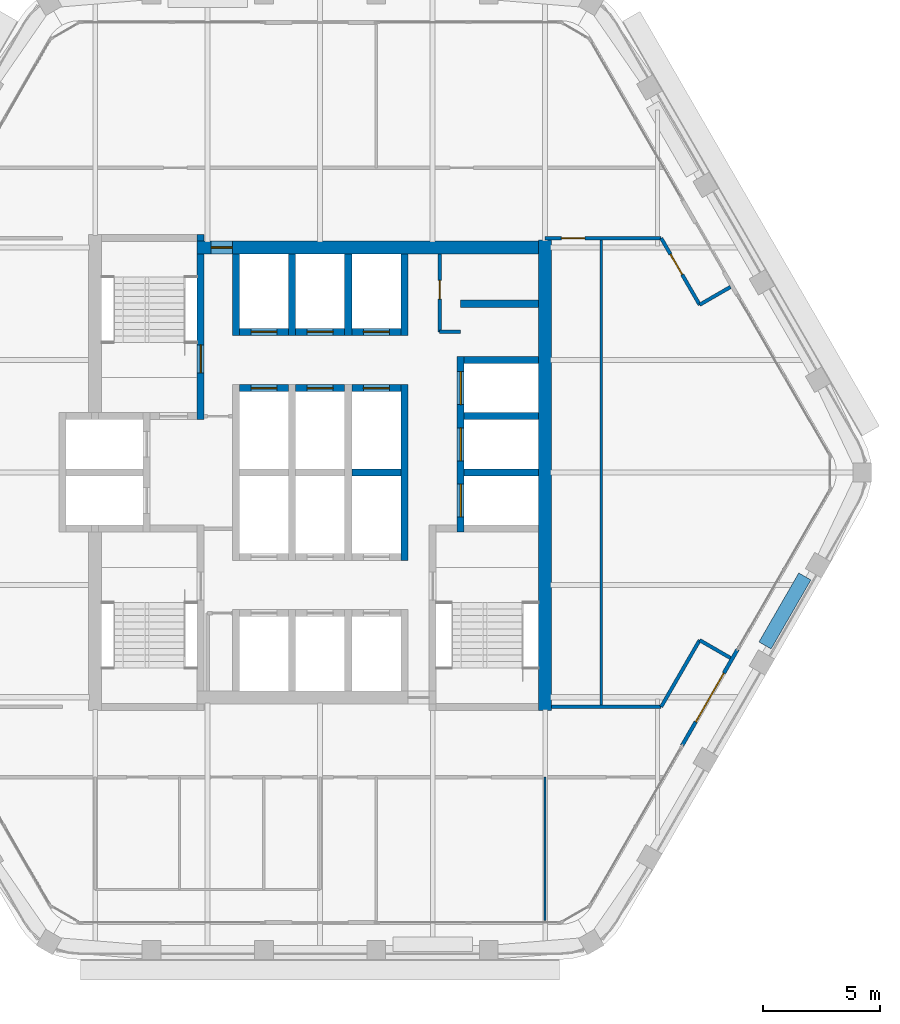
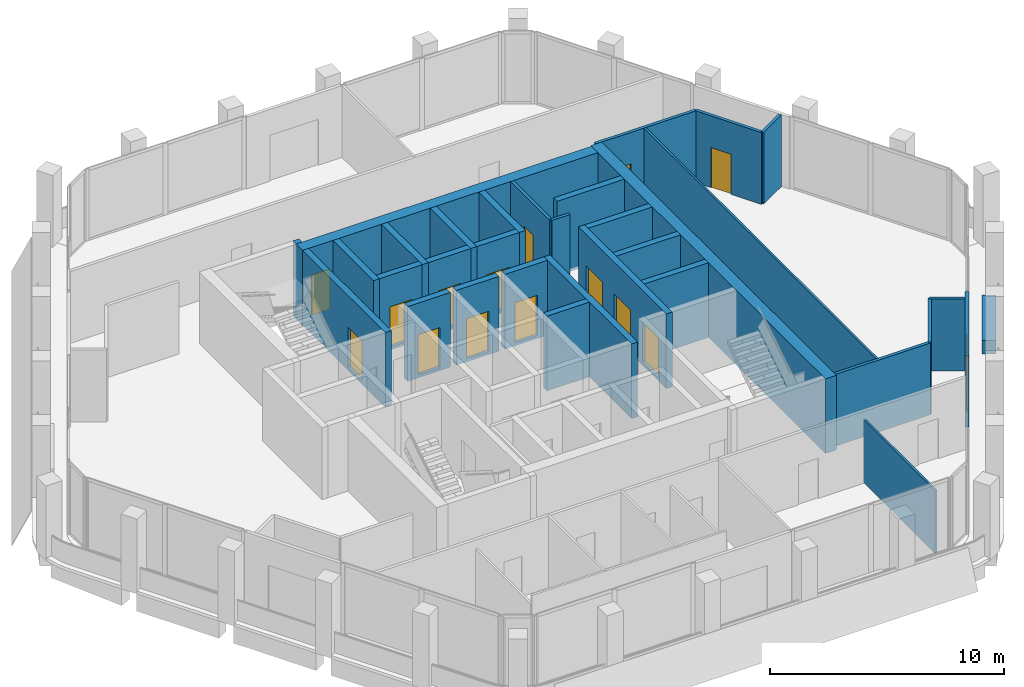
# One storey, part 9 of 13: 33 walls, 15 doors, 15 openings.
"""IFC4 building model written with IfcOpenShell, lengths in metres."""

import ifcopenshell
import ifcopenshell.guid

model = None  # the IFC model being written
_history = None  # IfcOwnerHistory: only IFC2X3 demands one
_inside = {}  # id of a spatial element -> (the spatial element, [elements in it])
_under = {}  # id of a project, library or spatial element -> (it, [spatial elements below it])
_declared = {}  # id of a project -> (the project, [libraries it declares])
_typed = {}  # id of a type object -> (the type object, [elements of that type])
_made_of = {}  # id of a material, layer set ... -> (it, [elements and type objects made of it])


def new_model(schema):
    """Start an empty IFC model of exactly this schema.

    Asked for "IFC4X3", IfcOpenShell would pick the latest addendum, in which some entities
    have other attributes; the version numbers below select the first issue.
    IFC2X3 requires an IfcOwnerHistory on every rooted entity: one is made here for all.
    """
    global model, _history
    if schema == "IFC4X3":
        model = ifcopenshell.file(schema_version=(4, 3, 0, 0))
    else:
        model = ifcopenshell.file(schema=schema)
    _inside.clear()
    _under.clear()
    _declared.clear()
    _typed.clear()
    _made_of.clear()
    _history = None
    if model.schema == "IFC2X3":
        org = make("IfcOrganization", Name="unknown")
        user = make(
            "IfcPersonAndOrganization",
            ThePerson=make("IfcPerson", FamilyName="unknown"),
            TheOrganization=org,
        )
        app = make(
            "IfcApplication",
            ApplicationDeveloper=org,
            Version="unknown",
            ApplicationFullName="unknown",
            ApplicationIdentifier="unknown",
        )
        _history = make(
            "IfcOwnerHistory",
            OwningUser=user,
            OwningApplication=app,
            ChangeAction="ADDED",
            CreationDate=0,
        )
    return model


def make(cls, **values):
    """One entity of the class cls with the attributes given. An attribute that is None is left unset."""
    return model.create_entity(
        cls, **{name: value for name, value in values.items() if value is not None}
    )


def rooted(cls, **values):
    """An entity with a GlobalId (a new one), such as an element, a storey or a relation."""
    return make(cls, GlobalId=ifcopenshell.guid.new(), OwnerHistory=_history, **values)


def si_unit(unit_type, name, prefix=None):
    """IfcSIUnit, for example si_unit("LENGTHUNIT", "METRE", prefix="MILLI")."""
    return make("IfcSIUnit", UnitType=unit_type, Prefix=prefix, Name=name)


def assignment(units):
    """IfcUnitAssignment: the units of a project."""
    return None if units is None else make("IfcUnitAssignment", Units=units)


def point(xyz):
    """IfcCartesianPoint."""
    return None if xyz is None else make("IfcCartesianPoint", Coordinates=xyz)


def direction(xyz):
    """IfcDirection."""
    return None if xyz is None else make("IfcDirection", DirectionRatios=xyz)


def frame(location, z_axis=None, x_axis=None):
    """IfcAxis2Placement3D, a coordinate frame: its origin and axes. An axis left out is left unset."""
    return make(
        "IfcAxis2Placement3D",
        Location=point(location),
        Axis=direction(z_axis),
        RefDirection=direction(x_axis),
    )


def frame_2d(location, x_axis=None):
    """IfcAxis2Placement2D, a coordinate frame in the plane: its origin and x axis."""
    return make(
        "IfcAxis2Placement2D", Location=point(location), RefDirection=direction(x_axis)
    )


def origin():
    """The frame at (0, 0, 0) with its axes left unset."""
    return frame((0.0, 0.0, 0.0))


def place(relative_to, where):
    """IfcLocalPlacement: puts the frame where relative to a parent placement (None: the world)."""
    return make(
        "IfcLocalPlacement", PlacementRelTo=relative_to, RelativePlacement=where
    )


def context(
    kind, dimensions, precision=None, world=None, true_north=None, identifier=None
):
    """IfcGeometricRepresentationContext, for example the 3D "Model" context."""
    return make(
        "IfcGeometricRepresentationContext",
        ContextIdentifier=identifier,
        ContextType=kind,
        CoordinateSpaceDimension=dimensions,
        Precision=precision,
        WorldCoordinateSystem=world,
        TrueNorth=true_north,
    )


def subcontext(parent, identifier, kind, view, scale=None):
    """IfcGeometricRepresentationSubContext, for example "Body" below "Model"."""
    return make(
        "IfcGeometricRepresentationSubContext",
        ContextIdentifier=identifier,
        ContextType=kind,
        ParentContext=parent,
        TargetScale=scale,
        TargetView=view,
    )


def project(units=None, contexts=None):
    """IfcProject with its units and contexts."""
    return rooted(
        "IfcProject",
        Name="project",
        RepresentationContexts=contexts,
        UnitsInContext=assignment(units),
    )


def spatial(cls, under=None, at=None, **own):
    """A site, building, storey or space (cls), placed at a placement, below another one or the project."""
    s = rooted(cls, ObjectPlacement=at, **own)
    if under is not None:
        _under.setdefault(under.id(), (under, []))[1].append(s)
    return s


def profile(cls, at=None, kind="AREA", **sizes):
    """A parametric profile (cls). Its sizes go by their IFC names, for example OverallWidth=200.0."""
    return make(cls, ProfileType=kind, Position=at, **sizes)


def rectangle(**sizes):
    """IfcRectangleProfileDef."""
    return profile("IfcRectangleProfileDef", **sizes)


def extrude(swept, where, along, depth):
    """IfcExtrudedAreaSolid: the profile swept, set in the frame where, extruded along a direction by depth."""
    return make(
        "IfcExtrudedAreaSolid",
        SweptArea=swept,
        Position=where,
        ExtrudedDirection=direction(along),
        Depth=depth,
    )


def shape(context_of_items, identifier, shape_type, items):
    """IfcShapeRepresentation: the items that make up one representation, for example the "Body"."""
    return make(
        "IfcShapeRepresentation",
        ContextOfItems=context_of_items,
        RepresentationIdentifier=identifier,
        RepresentationType=shape_type,
        Items=items,
    )


def material(Name=None, Category=None):
    """IfcMaterial."""
    return make("IfcMaterial", Name=Name, Category=Category)


def layer(
    of_material, thickness, ventilated=None, Name=None, Category=None, Priority=None
):
    """IfcMaterialLayer: one layer of a wall or slab, of a material (None: an air gap)."""
    return make(
        "IfcMaterialLayer",
        Material=of_material,
        LayerThickness=thickness,
        IsVentilated=ventilated,
        Name=Name,
        Category=Category,
        Priority=Priority,
    )


def layer_set(layers, Name=None):
    """IfcMaterialLayerSet."""
    return make("IfcMaterialLayerSet", MaterialLayers=layers, LayerSetName=Name)


def made_of(thing, what):
    """Note that an element or type object is made of a material, layer set ...; save() writes the relation."""
    if what is not None:
        _made_of.setdefault(what.id(), (what, []))[1].append(thing)
    return thing


def type_object(cls, material=None, **own):
    """A type object (cls), such as IfcWallType, which elements share."""
    return made_of(rooted(cls, **own), material)


def element(
    cls,
    number,
    at=None,
    inside=None,
    cuts=None,
    type_object=None,
    material=None,
    context=None,
    identifier="Body",
    shape_type=None,
    held_by="IfcProductDefinitionShape",
    body=None,
    shapes=None,
    **own,
):
    """One element of the class cls, such as IfcWall. Its Tag is "e" and its number.

    at: its placement. inside: the storey or other place that contains it. cuts: it is an
    opening in that element (IfcRelVoidsElement). A single representation is given by context,
    identifier, shape_type and body (its items); several are given by shapes. held_by: the class
    of the entity that holds the representations. save() writes the other relations.
    """
    e = rooted(cls, Tag="e%d" % number, ObjectPlacement=at, **own)
    if body is not None:
        shapes = [shape(context, identifier, shape_type, body)]
    if shapes is not None:
        e.Representation = make(held_by, Representations=shapes)
    if inside is not None:
        _inside.setdefault(inside.id(), (inside, []))[1].append(e)
    if cuts is not None:
        rooted(
            "IfcRelVoidsElement", RelatingBuildingElement=cuts, RelatedOpeningElement=e
        )
    if type_object is not None:
        _typed.setdefault(type_object.id(), (type_object, []))[1].append(e)
    return made_of(e, material)


def fill(opening, filler):
    """IfcRelFillsElement: the door or window that sits in an opening."""
    return rooted(
        "IfcRelFillsElement",
        RelatingOpeningElement=opening,
        RelatedBuildingElement=filler,
    )


def aggregate(whole, parts):
    """IfcRelAggregates: a whole, such as a stair, and the parts it consists of."""
    return rooted("IfcRelAggregates", RelatingObject=whole, RelatedObjects=parts)


def save(model, path):
    """Write the relations noted so far, then the file.

    IfcRelAggregates (storeys below a building ...), IfcRelContainedInSpatialStructure (elements
    in a storey), IfcRelDefinesByType, IfcRelAssociatesMaterial and IfcRelDeclares: one each for
    every whole, place, type object, material and project.
    """
    for whole, parts in _under.values():
        aggregate(whole, parts)
    for where, things in _inside.values():
        rooted(
            "IfcRelContainedInSpatialStructure",
            RelatedElements=things,
            RelatingStructure=where,
        )
    for kind, things in _typed.values():
        rooted("IfcRelDefinesByType", RelatedObjects=things, RelatingType=kind)
    for what, things in _made_of.values():
        rooted("IfcRelAssociatesMaterial", RelatedObjects=things, RelatingMaterial=what)
    for by, libraries in _declared.values():
        rooted("IfcRelDeclares", RelatingContext=by, RelatedDefinitions=libraries)
    model.write(path)


model = new_model("IFC4")

# Units and contexts
model_context = context("Model", 3, precision=1e-05, world=origin(), true_north=direction((0.0, 1.0)))
body_context = subcontext(model_context, "Body", "Model", "MODEL_VIEW")
ifc_project = project(units=[si_unit("LENGTHUNIT", "METRE"), si_unit("AREAUNIT", "SQUARE_METRE"), si_unit("VOLUMEUNIT", "CUBIC_METRE"), si_unit("PLANEANGLEUNIT", "RADIAN"), si_unit("MASSUNIT", "GRAM", prefix="KILO")], contexts=[model_context])

# Site, building, storey
site_placement = place(None, origin())
site = spatial("IfcSite", under=ifc_project, at=site_placement, CompositionType="ELEMENT")
building_placement = place(site_placement, origin())
building = spatial("IfcBuilding", under=site, at=building_placement, Name="Kolab Exchange Tower", CompositionType="ELEMENT")
storey_placement = place(building_placement, frame((0.0, 0.0, 277.39990234375)))
storey = spatial("IfcBuildingStorey", under=building, at=storey_placement, Name="L62", CompositionType="ELEMENT", Elevation=277.39990234375)

# Wall, opening, door
ifc_material_1 = material(Name="Concrete C50/60", Category="concrete")
ifc_layer_1 = layer(ifc_material_1, 0.550048828125)
ifc_layer_set_1 = layer_set([ifc_layer_1], Name="Concrete C50/60")
wall_type_1 = type_object("IfcWallType", Name="CORE WALL 550 C50/60", PredefinedType="SHEAR", material=ifc_layer_set_1)
wall_1_placement = place(storey_placement, frame((-5.25, 9.60009765625, -0.14990234375), z_axis=(0.0, 0.0, 1.0), x_axis=(1.0, 0.0, 0.0)))
wall_1 = element("IfcWall", 1, at=wall_1_placement, inside=storey, type_object=wall_type_1, Name="wall/L62/core/031", PredefinedType="SHEAR", context=body_context, shape_type="SweptSolid", body=[
    extrude(rectangle(XDim=14.574951171875, YDim=0.550048828125, at=frame_2d((7.28759765625, 0.0))), origin(), (0.0, 0.0, 1.0), 3.89990234375),
])
opening_1_placement = place(wall_1_placement, frame((0.60009765625, 0.0, 0.14990234375)))
opening_1 = element("IfcOpeningElement", 2, at=opening_1_placement, cuts=wall_1, Name="Opening D6-295", PredefinedType="OPENING", context=body_context, shape_type="SweptSolid", body=[
    extrude(rectangle(XDim=0.89990234375, YDim=2.10009765625, at=frame_2d((0.449951171875, 1.050048828125))), frame((0.0, 0.28515625, 0.0), z_axis=(0.0, -1.0, 0.0), x_axis=(1.0, 0.0, 0.0)), (0.0, 0.0, 1.0), 0.570068359375),
])
ifc_material_2 = material(Name="Steel S235", Category="steel")
door_type_1 = type_object("IfcDoorType", Name="CORE DOOR 900 EI 120", OperationType="SINGLE_SWING_LEFT", PredefinedType="DOOR", material=ifc_material_2)
door_1_placement = place(opening_1_placement, frame((0.89990234375, 0.0, 0.0), z_axis=(0.0, 0.0, 1.0), x_axis=(-1.0, 0.0, 0.0)))
door_1 = element("IfcDoor", 3, at=door_1_placement, inside=storey, type_object=door_type_1, Name="Core lobby door", OperationType="SINGLE_SWING_RIGHT", OverallHeight=2.10009765625, OverallWidth=0.89990234375, PredefinedType="DOOR", context=body_context, shape_type="SweptSolid", body=[
    extrude(rectangle(XDim=0.89990234375, YDim=2.10009765625, at=frame_2d((0.449951171875, 1.050048828125))), frame((0.0, 0.02490234375, 0.0), z_axis=(0.0, -1.0, 0.0), x_axis=(1.0, 0.0, 0.0)), (0.0, 0.0, 1.0), 0.050048828125),
])
fill(opening_1, door_1)

# Wall
wall_2_placement = place(storey_placement, frame((9.60009765625, -10.14990234375, -0.14990234375), z_axis=(0.0, 0.0, 1.0), x_axis=(0.0, 1.0, 0.0)))
element("IfcWall", 4, at=wall_2_placement, inside=storey, type_object=wall_type_1, Name="wall/L62/core/058", PredefinedType="SHEAR", context=body_context, shape_type="SweptSolid", body=[
    extrude(rectangle(XDim=20.074951171875, YDim=0.550048828125, at=frame_2d((10.03759765625, 0.0))), origin(), (0.0, 0.0, 1.0), 3.89990234375),
])

# Wall, opening, door
ifc_material_3 = material(Name="Aluminium EN AW-6063 T6", Category="aluminium")
ifc_layer_2 = layer(ifc_material_3, 0.159912109375)
ifc_layer_set_2 = layer_set([ifc_layer_2], Name="Aluminium EN AW-6063 T6")
wall_type_2 = type_object("IfcWallType", Name="DOOR SURROUND WALL 160 ALUMINIUM FRAMED", PredefinedType="PARTITIONING", material=ifc_layer_set_2)
wall_3_placement = place(storey_placement, frame((17.816650390625, -7.5498046875, 0.0), z_axis=(0.0, 0.0, 1.0), x_axis=(-0.499978080042, -0.866038058908, 0.0)))
wall_3 = element("IfcWall", 5, at=wall_3_placement, inside=storey, type_object=wall_type_2, Name="Door surround wall", PredefinedType="PARTITIONING", context=body_context, shape_type="SweptSolid", body=[
    extrude(rectangle(XDim=4.739990234375, YDim=0.159912109375, at=frame_2d((2.3701171875, 0.0))), origin(), (0.0, 0.0, 1.0), 3.75),
])
opening_2_placement = place(wall_3_placement, frame((1.169921875, 0.0, 0.0)))
opening_2 = element("IfcOpeningElement", 6, at=opening_2_placement, cuts=wall_3, Name="Opening GD1-091", PredefinedType="OPENING", context=body_context, shape_type="SweptSolid", body=[
    extrude(rectangle(XDim=2.39990234375, YDim=2.39990234375, at=frame_2d((1.199951171875, 1.199951171875))), frame((0.0, 0.08984375, 0.0), z_axis=(0.0, -1.0, 0.0), x_axis=(1.0, 0.0, 0.0)), (0.0, 0.0, 1.0), 0.179931640625),
])
door_type_2 = type_object("IfcDoorType", Name="LOGGIA SLIDING GLASS DOOR 2400 X 2400", OperationType="DOUBLE_DOOR_SINGLE_SWING", PredefinedType="DOOR", material=ifc_material_3)
door_2_placement = place(opening_2_placement, origin())
door_2 = element("IfcDoor", 7, at=door_2_placement, inside=storey, type_object=door_type_2, Name="Loggia door", OperationType="DOUBLE_DOOR_SLIDING", OverallHeight=2.39990234375, OverallWidth=2.39990234375, PredefinedType="DOOR", context=body_context, shape_type="SweptSolid", body=[
    extrude(rectangle(XDim=2.39990234375, YDim=2.39990234375, at=frame_2d((1.199951171875, 1.199951171875))), frame((0.0, 0.02490234375, 0.0), z_axis=(0.0, -1.0, 0.0), x_axis=(1.0, 0.0, 0.0)), (0.0, 0.0, 1.0), 0.050048828125),
])
fill(opening_2, door_2)

# Walls
ifc_layer_3 = layer(ifc_material_1, 0.300048828125)
ifc_layer_set_3 = layer_set([ifc_layer_3], Name="Concrete C50/60")
wall_type_3 = type_object("IfcWallType", Name="LIFT SHAFT WALL 300 C50/60", PredefinedType="STANDARD", material=ifc_layer_set_3)
wall_4_placement = place(storey_placement, frame((1.35009765625, 0.0, -0.14990234375), z_axis=(0.0, 0.0, 1.0), x_axis=(1.0, 0.0, 0.0)))
element("IfcWall", 8, at=wall_4_placement, inside=storey, type_object=wall_type_3, Name="wall/L62/core/017", PredefinedType="STANDARD", context=body_context, shape_type="SweptSolid", body=[
    extrude(rectangle(XDim=2.099853515625, YDim=0.300048828125, at=frame_2d((1.0498046875, 0.0))), origin(), (0.0, 0.0, 1.0), 3.89990234375),
])
for number, where, z_axis, x_axis, name in (
    (9, (6.14990234375, 0.0, -0.14990234375), (0.0, 0.0, 1.0), (1.0, 0.0, 0.0), "wall/L62/core/018"),
    (10, (6.14990234375, 2.39990234375, -0.14990234375), (0.0, 0.0, 1.0), (1.0, 0.0, 0.0), "wall/L62/core/022"),
):
    element("IfcWall", number, at=place(storey_placement, frame(where, z_axis=z_axis, x_axis=x_axis)), inside=storey, type_object=wall_type_3, Name=name, PredefinedType="STANDARD", context=body_context, shape_type="SweptSolid", body=[
        extrude(rectangle(XDim=3.175048828125, YDim=0.300048828125, at=frame_2d((1.58740234375, 0.0))), origin(), (0.0, 0.0, 1.0), 3.89990234375),
    ])

# Wall, opening, door
wall_5_placement = place(storey_placement, frame((-3.449951171875, 3.60009765625, -0.14990234375), z_axis=(0.0, 0.0, 1.0), x_axis=(1.0, 0.0, 0.0)))
wall_5 = element("IfcWall", 11, at=wall_5_placement, inside=storey, type_object=wall_type_3, Name="wall/L62/core/023", PredefinedType="STANDARD", context=body_context, shape_type="SweptSolid", body=[
    extrude(rectangle(XDim=2.099853515625, YDim=0.300048828125, at=frame_2d((1.0498046875, 0.0))), origin(), (0.0, 0.0, 1.0), 3.89990234375),
])
opening_3_placement = place(wall_5_placement, frame((0.5, 0.0, 0.14990234375)))
opening_3 = element("IfcOpeningElement", 12, at=opening_3_placement, cuts=wall_5, Name="Opening LD1-115", PredefinedType="OPENING", context=body_context, shape_type="SweptSolid", body=[
    extrude(rectangle(XDim=1.10009765625, YDim=2.10009765625, at=frame_2d((0.550048828125, 1.050048828125))), frame((0.0, 0.16015625, 0.0), z_axis=(0.0, -1.0, 0.0), x_axis=(1.0, 0.0, 0.0)), (0.0, 0.0, 1.0), 0.320068359375),
])
ifc_material_4 = material(Name="Stainless steel 316", Category="steel")
door_type_3 = type_object("IfcDoorType", Name="LANDING DOOR 1100 PASSENGER", OperationType="DOUBLE_DOOR_SLIDING", PredefinedType="DOOR", material=ifc_material_4)
door_3_placement = place(opening_3_placement, origin())
door_3 = element("IfcDoor", 13, at=door_3_placement, inside=storey, type_object=door_type_3, Name="Landing door HR4", OperationType="DOUBLE_DOOR_SLIDING", OverallHeight=2.10009765625, OverallWidth=1.10009765625, PredefinedType="DOOR", context=body_context, shape_type="SweptSolid", body=[
    extrude(rectangle(XDim=1.10009765625, YDim=2.10009765625, at=frame_2d((0.550048828125, 1.050048828125))), frame((0.0, 0.02490234375, 0.0), z_axis=(0.0, -1.0, 0.0), x_axis=(1.0, 0.0, 0.0)), (0.0, 0.0, 1.0), 0.050048828125),
])
fill(opening_3, door_3)

wall_6_placement = place(storey_placement, frame((-1.050048828125, 3.60009765625, -0.14990234375), z_axis=(0.0, 0.0, 1.0), x_axis=(1.0, 0.0, 0.0)))
wall_6 = element("IfcWall", 14, at=wall_6_placement, inside=storey, type_object=wall_type_3, Name="wall/L62/core/024", PredefinedType="STANDARD", context=body_context, shape_type="SweptSolid", body=[
    extrude(rectangle(XDim=2.10009765625, YDim=0.300048828125, at=frame_2d((1.050048828125, 0.0))), origin(), (0.0, 0.0, 1.0), 3.89990234375),
])
opening_4_placement = place(wall_6_placement, frame((0.5, 0.0, 0.14990234375)))
opening_4 = element("IfcOpeningElement", 15, at=opening_4_placement, cuts=wall_6, Name="Opening LD1-116", PredefinedType="OPENING", context=body_context, shape_type="SweptSolid", body=[
    extrude(rectangle(XDim=1.10009765625, YDim=2.10009765625, at=frame_2d((0.550048828125, 1.050048828125))), frame((0.0, 0.16015625, 0.0), z_axis=(0.0, -1.0, 0.0), x_axis=(1.0, 0.0, 0.0)), (0.0, 0.0, 1.0), 0.320068359375),
])
door_4_placement = place(opening_4_placement, origin())
door_4 = element("IfcDoor", 16, at=door_4_placement, inside=storey, type_object=door_type_3, Name="Landing door HR5", OperationType="DOUBLE_DOOR_SLIDING", OverallHeight=2.10009765625, OverallWidth=1.10009765625, PredefinedType="DOOR", context=body_context, shape_type="SweptSolid", body=[
    extrude(rectangle(XDim=1.10009765625, YDim=2.10009765625, at=frame_2d((0.550048828125, 1.050048828125))), frame((0.0, 0.02490234375, 0.0), z_axis=(0.0, -1.0, 0.0), x_axis=(1.0, 0.0, 0.0)), (0.0, 0.0, 1.0), 0.050048828125),
])
fill(opening_4, door_4)

wall_7_placement = place(storey_placement, frame((1.35009765625, 3.60009765625, -0.14990234375), z_axis=(0.0, 0.0, 1.0), x_axis=(1.0, 0.0, 0.0)))
wall_7 = element("IfcWall", 17, at=wall_7_placement, inside=storey, type_object=wall_type_3, Name="wall/L62/core/025", PredefinedType="STANDARD", context=body_context, shape_type="SweptSolid", body=[
    extrude(rectangle(XDim=2.099853515625, YDim=0.300048828125, at=frame_2d((1.0498046875, 0.0))), origin(), (0.0, 0.0, 1.0), 3.89990234375),
])
opening_5_placement = place(wall_7_placement, frame((0.5, 0.0, 0.14990234375)))
opening_5 = element("IfcOpeningElement", 18, at=opening_5_placement, cuts=wall_7, Name="Opening LD1-117", PredefinedType="OPENING", context=body_context, shape_type="SweptSolid", body=[
    extrude(rectangle(XDim=1.10009765625, YDim=2.10009765625, at=frame_2d((0.550048828125, 1.050048828125))), frame((0.0, 0.16015625, 0.0), z_axis=(0.0, -1.0, 0.0), x_axis=(1.0, 0.0, 0.0)), (0.0, 0.0, 1.0), 0.320068359375),
])
door_5_placement = place(opening_5_placement, origin())
door_5 = element("IfcDoor", 19, at=door_5_placement, inside=storey, type_object=door_type_3, Name="Landing door HR6", OperationType="DOUBLE_DOOR_SLIDING", OverallHeight=2.10009765625, OverallWidth=1.10009765625, PredefinedType="DOOR", context=body_context, shape_type="SweptSolid", body=[
    extrude(rectangle(XDim=1.10009765625, YDim=2.10009765625, at=frame_2d((0.550048828125, 1.050048828125))), frame((0.0, 0.02490234375, 0.0), z_axis=(0.0, -1.0, 0.0), x_axis=(1.0, 0.0, 0.0)), (0.0, 0.0, 1.0), 0.050048828125),
])
fill(opening_5, door_5)

# Wall
wall_8_placement = place(storey_placement, frame((6.14990234375, 4.800048828125, -0.14990234375), z_axis=(0.0, 0.0, 1.0), x_axis=(1.0, 0.0, 0.0)))
element("IfcWall", 20, at=wall_8_placement, inside=storey, type_object=wall_type_3, Name="wall/L62/core/026", PredefinedType="STANDARD", context=body_context, shape_type="SweptSolid", body=[
    extrude(rectangle(XDim=3.175048828125, YDim=0.300048828125, at=frame_2d((1.58740234375, 0.0))), origin(), (0.0, 0.0, 1.0), 3.89990234375),
])

# Wall, opening, door
wall_9_placement = place(storey_placement, frame((-3.449951171875, 6.0, -0.14990234375), z_axis=(0.0, 0.0, 1.0), x_axis=(1.0, 0.0, 0.0)))
wall_9 = element("IfcWall", 21, at=wall_9_placement, inside=storey, type_object=wall_type_3, Name="wall/L62/core/027", PredefinedType="STANDARD", context=body_context, shape_type="SweptSolid", body=[
    extrude(rectangle(XDim=2.099853515625, YDim=0.300048828125, at=frame_2d((1.0498046875, 0.0))), origin(), (0.0, 0.0, 1.0), 3.89990234375),
])
opening_6_placement = place(wall_9_placement, frame((0.5, 0.0, 0.14990234375)))
opening_6 = element("IfcOpeningElement", 22, at=opening_6_placement, cuts=wall_9, Name="Opening LD1-109", PredefinedType="OPENING", context=body_context, shape_type="SweptSolid", body=[
    extrude(rectangle(XDim=1.10009765625, YDim=2.10009765625, at=frame_2d((0.550048828125, 1.050048828125))), frame((0.0, 0.16015625, 0.0), z_axis=(0.0, -1.0, 0.0), x_axis=(1.0, 0.0, 0.0)), (0.0, 0.0, 1.0), 0.320068359375),
])
door_6_placement = place(opening_6_placement, origin())
door_6 = element("IfcDoor", 23, at=door_6_placement, inside=storey, type_object=door_type_3, Name="Landing door HR1", OperationType="DOUBLE_DOOR_SLIDING", OverallHeight=2.10009765625, OverallWidth=1.10009765625, PredefinedType="DOOR", context=body_context, shape_type="SweptSolid", body=[
    extrude(rectangle(XDim=1.10009765625, YDim=2.10009765625, at=frame_2d((0.550048828125, 1.050048828125))), frame((0.0, 0.02490234375, 0.0), z_axis=(0.0, -1.0, 0.0), x_axis=(1.0, 0.0, 0.0)), (0.0, 0.0, 1.0), 0.050048828125),
])
fill(opening_6, door_6)

wall_10_placement = place(storey_placement, frame((-1.050048828125, 6.0, -0.14990234375), z_axis=(0.0, 0.0, 1.0), x_axis=(1.0, 0.0, 0.0)))
wall_10 = element("IfcWall", 24, at=wall_10_placement, inside=storey, type_object=wall_type_3, Name="wall/L62/core/028", PredefinedType="STANDARD", context=body_context, shape_type="SweptSolid", body=[
    extrude(rectangle(XDim=2.10009765625, YDim=0.300048828125, at=frame_2d((1.050048828125, 0.0))), origin(), (0.0, 0.0, 1.0), 3.89990234375),
])
opening_7_placement = place(wall_10_placement, frame((0.5, 0.0, 0.14990234375)))
opening_7 = element("IfcOpeningElement", 25, at=opening_7_placement, cuts=wall_10, Name="Opening LD1-113", PredefinedType="OPENING", context=body_context, shape_type="SweptSolid", body=[
    extrude(rectangle(XDim=1.10009765625, YDim=2.10009765625, at=frame_2d((0.550048828125, 1.050048828125))), frame((0.0, 0.16015625, 0.0), z_axis=(0.0, -1.0, 0.0), x_axis=(1.0, 0.0, 0.0)), (0.0, 0.0, 1.0), 0.320068359375),
])
door_7_placement = place(opening_7_placement, origin())
door_7 = element("IfcDoor", 26, at=door_7_placement, inside=storey, type_object=door_type_3, Name="Landing door HR2", OperationType="DOUBLE_DOOR_SLIDING", OverallHeight=2.10009765625, OverallWidth=1.10009765625, PredefinedType="DOOR", context=body_context, shape_type="SweptSolid", body=[
    extrude(rectangle(XDim=1.10009765625, YDim=2.10009765625, at=frame_2d((0.550048828125, 1.050048828125))), frame((0.0, 0.02490234375, 0.0), z_axis=(0.0, -1.0, 0.0), x_axis=(1.0, 0.0, 0.0)), (0.0, 0.0, 1.0), 0.050048828125),
])
fill(opening_7, door_7)

wall_11_placement = place(storey_placement, frame((1.35009765625, 6.0, -0.14990234375), z_axis=(0.0, 0.0, 1.0), x_axis=(1.0, 0.0, 0.0)))
wall_11 = element("IfcWall", 27, at=wall_11_placement, inside=storey, type_object=wall_type_3, Name="wall/L62/core/029", PredefinedType="STANDARD", context=body_context, shape_type="SweptSolid", body=[
    extrude(rectangle(XDim=2.099853515625, YDim=0.300048828125, at=frame_2d((1.0498046875, 0.0))), origin(), (0.0, 0.0, 1.0), 3.89990234375),
])
opening_8_placement = place(wall_11_placement, frame((0.5, 0.0, 0.14990234375)))
opening_8 = element("IfcOpeningElement", 28, at=opening_8_placement, cuts=wall_11, Name="Opening LD1-114", PredefinedType="OPENING", context=body_context, shape_type="SweptSolid", body=[
    extrude(rectangle(XDim=1.10009765625, YDim=2.10009765625, at=frame_2d((0.550048828125, 1.050048828125))), frame((0.0, 0.16015625, 0.0), z_axis=(0.0, -1.0, 0.0), x_axis=(1.0, 0.0, 0.0)), (0.0, 0.0, 1.0), 0.320068359375),
])
door_8_placement = place(opening_8_placement, origin())
door_8 = element("IfcDoor", 29, at=door_8_placement, inside=storey, type_object=door_type_3, Name="Landing door HR3", OperationType="DOUBLE_DOOR_SLIDING", OverallHeight=2.10009765625, OverallWidth=1.10009765625, PredefinedType="DOOR", context=body_context, shape_type="SweptSolid", body=[
    extrude(rectangle(XDim=1.10009765625, YDim=2.10009765625, at=frame_2d((0.550048828125, 1.050048828125))), frame((0.0, 0.02490234375, 0.0), z_axis=(0.0, -1.0, 0.0), x_axis=(1.0, 0.0, 0.0)), (0.0, 0.0, 1.0), 0.050048828125),
])
fill(opening_8, door_8)

# Walls
wall_12_placement = place(storey_placement, frame((6.0, 7.199951171875, -0.14990234375), z_axis=(0.0, 0.0, 1.0), x_axis=(1.0, 0.0, 0.0)))
element("IfcWall", 30, at=wall_12_placement, inside=storey, type_object=wall_type_3, Name="wall/L62/core/030", PredefinedType="STANDARD", context=body_context, shape_type="SweptSolid", body=[
    extrude(rectangle(XDim=3.324951171875, YDim=0.300048828125, at=frame_2d((1.66259765625, 0.0))), origin(), (0.0, 0.0, 1.0), 3.89990234375),
])
for number, where, z_axis, x_axis, name in (
    (31, (-3.60009765625, 5.85009765625, -0.14990234375), (0.0, 0.0, 1.0), (0.0, 1.0, 0.0), "wall/L62/core/045"),
    (32, (-1.199951171875, 5.85009765625, -0.14990234375), (0.0, 0.0, 1.0), (0.0, 1.0, 0.0), "wall/L62/core/048"),
    (33, (1.199951171875, 5.85009765625, -0.14990234375), (0.0, 0.0, 1.0), (0.0, 1.0, 0.0), "wall/L62/core/051"),
):
    element("IfcWall", number, at=place(storey_placement, frame(where, z_axis=z_axis, x_axis=x_axis)), inside=storey, type_object=wall_type_3, Name=name, PredefinedType="STANDARD", context=body_context, shape_type="SweptSolid", body=[
        extrude(rectangle(XDim=3.474853515625, YDim=0.300048828125, at=frame_2d((1.7373046875, 0.0))), origin(), (0.0, 0.0, 1.0), 3.89990234375),
    ])
wall_13_placement = place(storey_placement, frame((3.60009765625, -3.75, -0.14990234375), z_axis=(0.0, 0.0, 1.0), x_axis=(0.0, 1.0, 0.0)))
element("IfcWall", 34, at=wall_13_placement, inside=storey, type_object=wall_type_3, Name="wall/L62/core/053", PredefinedType="STANDARD", context=body_context, shape_type="SweptSolid", body=[
    extrude(rectangle(XDim=7.5, YDim=0.300048828125, at=frame_2d((3.75, 0.0))), origin(), (0.0, 0.0, 1.0), 3.89990234375),
])
wall_14_placement = place(storey_placement, frame((3.60009765625, 5.85009765625, -0.14990234375), z_axis=(0.0, 0.0, 1.0), x_axis=(0.0, 1.0, 0.0)))
element("IfcWall", 35, at=wall_14_placement, inside=storey, type_object=wall_type_3, Name="wall/L62/core/054", PredefinedType="STANDARD", context=body_context, shape_type="SweptSolid", body=[
    extrude(rectangle(XDim=3.474853515625, YDim=0.300048828125, at=frame_2d((1.7373046875, 0.0))), origin(), (0.0, 0.0, 1.0), 3.89990234375),
])

# Wall, openings, doors
wall_15_placement = place(storey_placement, frame((6.0, -2.550048828125, -0.14990234375), z_axis=(0.0, 0.0, 1.0), x_axis=(0.0, 1.0, 0.0)))
wall_15 = element("IfcWall", 36, at=wall_15_placement, inside=storey, type_object=wall_type_3, Name="wall/L62/core/057", PredefinedType="STANDARD", context=body_context, shape_type="SweptSolid", body=[
    extrude(rectangle(XDim=7.5, YDim=0.300048828125, at=frame_2d((3.75, 0.0))), origin(), (0.0, 0.0, 1.0), 3.89990234375),
])
opening_9_placement = place(wall_15_placement, frame((0.64990234375, 0.0, 0.14990234375)))
opening_9 = element("IfcOpeningElement", 37, at=opening_9_placement, cuts=wall_15, Name="Opening LD3-037", PredefinedType="OPENING", context=body_context, shape_type="SweptSolid", body=[
    extrude(rectangle(XDim=1.39990234375, YDim=2.10009765625, at=frame_2d((0.699951171875, 1.050048828125))), frame((0.0, 0.16015625, 0.0), z_axis=(0.0, -1.0, 0.0), x_axis=(1.0, 0.0, 0.0)), (0.0, 0.0, 1.0), 0.320068359375),
])
opening_10_placement = place(wall_15_placement, frame((3.050048828125, 0.0, 0.14990234375)))
opening_10 = element("IfcOpeningElement", 38, at=opening_10_placement, cuts=wall_15, Name="Opening LD3-038", PredefinedType="OPENING", context=body_context, shape_type="SweptSolid", body=[
    extrude(rectangle(XDim=1.39990234375, YDim=2.10009765625, at=frame_2d((0.699951171875, 1.050048828125))), frame((0.0, 0.16015625, 0.0), z_axis=(0.0, -1.0, 0.0), x_axis=(1.0, 0.0, 0.0)), (0.0, 0.0, 1.0), 0.320068359375),
])
opening_11_placement = place(wall_15_placement, frame((5.449951171875, 0.0, 0.14990234375)))
opening_11 = element("IfcOpeningElement", 39, at=opening_11_placement, cuts=wall_15, Name="Opening LD3-039", PredefinedType="OPENING", context=body_context, shape_type="SweptSolid", body=[
    extrude(rectangle(XDim=1.39990234375, YDim=2.10009765625, at=frame_2d((0.699951171875, 1.050048828125))), frame((0.0, 0.16015625, 0.0), z_axis=(0.0, -1.0, 0.0), x_axis=(1.0, 0.0, 0.0)), (0.0, 0.0, 1.0), 0.320068359375),
])
door_type_4 = type_object("IfcDoorType", Name="LANDING DOOR 1400 SERVICE", OperationType="DOUBLE_DOOR_SLIDING", PredefinedType="DOOR", material=ifc_material_4)
door_9_placement = place(opening_9_placement, origin())
door_9 = element("IfcDoor", 40, at=door_9_placement, inside=storey, type_object=door_type_4, Name="Landing door SV1", OperationType="DOUBLE_DOOR_SLIDING", OverallHeight=2.10009765625, OverallWidth=1.39990234375, PredefinedType="DOOR", context=body_context, shape_type="SweptSolid", body=[
    extrude(rectangle(XDim=1.39990234375, YDim=2.10009765625, at=frame_2d((0.699951171875, 1.050048828125))), frame((0.0, 0.02490234375, 0.0), z_axis=(0.0, -1.0, 0.0), x_axis=(1.0, 0.0, 0.0)), (0.0, 0.0, 1.0), 0.050048828125),
])
fill(opening_9, door_9)
door_10_placement = place(opening_10_placement, origin())
door_10 = element("IfcDoor", 41, at=door_10_placement, inside=storey, type_object=door_type_4, Name="Landing door SV2", OperationType="DOUBLE_DOOR_SLIDING", OverallHeight=2.10009765625, OverallWidth=1.39990234375, PredefinedType="DOOR", context=body_context, shape_type="SweptSolid", body=[
    extrude(rectangle(XDim=1.39990234375, YDim=2.10009765625, at=frame_2d((0.699951171875, 1.050048828125))), frame((0.0, 0.02490234375, 0.0), z_axis=(0.0, -1.0, 0.0), x_axis=(1.0, 0.0, 0.0)), (0.0, 0.0, 1.0), 0.050048828125),
])
fill(opening_10, door_10)
door_11_placement = place(opening_11_placement, origin())
door_11 = element("IfcDoor", 42, at=door_11_placement, inside=storey, type_object=door_type_4, Name="Landing door SV3", OperationType="DOUBLE_DOOR_SLIDING", OverallHeight=2.10009765625, OverallWidth=1.39990234375, PredefinedType="DOOR", context=body_context, shape_type="SweptSolid", body=[
    extrude(rectangle(XDim=1.39990234375, YDim=2.10009765625, at=frame_2d((0.699951171875, 1.050048828125))), frame((0.0, 0.02490234375, 0.0), z_axis=(0.0, -1.0, 0.0), x_axis=(1.0, 0.0, 0.0)), (0.0, 0.0, 1.0), 0.050048828125),
])
fill(opening_11, door_11)

# Walls
ifc_material_5 = material(Name="Gypsum board", Category="gypsum")
ifc_layer_4 = layer(ifc_material_5, 0.10009765625)
ifc_layer_set_4 = layer_set([ifc_layer_4], Name="Gypsum board")
wall_type_4 = type_object("IfcWallType", Name="PARTITION 100", PredefinedType="PARTITIONING", material=ifc_layer_set_4)
wall_16_placement = place(storey_placement, frame((12.0, -10.0, 0.0), z_axis=(0.0, 0.0, 1.0), x_axis=(0.0, 1.0, 0.0)))
element("IfcWall", 43, at=wall_16_placement, inside=storey, type_object=wall_type_4, Name="Partition 000", PredefinedType="PARTITIONING", context=body_context, shape_type="SweptSolid", body=[
    extrude(rectangle(XDim=20.0, YDim=0.10009765625, at=frame_2d((10.0, 0.0))), origin(), (0.0, 0.0, 1.0), 3.75),
])
wall_17_placement = place(storey_placement, frame((9.60009765625, -19.114501953125, 0.0), z_axis=(0.0, 0.0, 1.0), x_axis=(0.0, 1.0, 0.0)))
element("IfcWall", 44, at=wall_17_placement, inside=storey, type_object=wall_type_4, Name="Partition 001", PredefinedType="PARTITIONING", context=body_context, shape_type="SweptSolid", body=[
    extrude(rectangle(XDim=6.114501953125, YDim=0.10009765625, at=frame_2d((3.05712890625, 0.0))), origin(), (0.0, 0.0, 1.0), 3.293212890625),
])

# Wall, opening, door
ifc_layer_5 = layer(ifc_material_5, 0.14990234375)
ifc_layer_set_5 = layer_set([ifc_layer_5], Name="Gypsum board")
wall_type_5 = type_object("IfcWallType", Name="PARTITION 150 FIRE-RATED", PredefinedType="PARTITIONING", material=ifc_layer_set_5)
wall_18_placement = place(storey_placement, frame((5.10009765625, 6.0, 0.0), z_axis=(0.0, 0.0, 1.0), x_axis=(0.0, 1.0, 0.0)))
wall_18 = element("IfcWall", 45, at=wall_18_placement, inside=storey, type_object=wall_type_5, Name="Partition 002", PredefinedType="PARTITIONING", context=body_context, shape_type="SweptSolid", body=[
    extrude(rectangle(XDim=3.324951171875, YDim=0.14990234375, at=frame_2d((1.66259765625, 0.0))), origin(), (0.0, 0.0, 1.0), 3.75),
])
opening_12_placement = place(wall_18_placement, frame((1.39990234375, 0.0, 0.0)))
opening_12 = element("IfcOpeningElement", 46, at=opening_12_placement, cuts=wall_18, Name="Opening D7-042", PredefinedType="OPENING", context=body_context, shape_type="SweptSolid", body=[
    extrude(rectangle(XDim=0.800048828125, YDim=2.10009765625, at=frame_2d((0.39990234375, 1.050048828125))), frame((0.0, 0.0849609375, 0.0), z_axis=(0.0, -1.0, 0.0), x_axis=(1.0, 0.0, 0.0)), (0.0, 0.0, 1.0), 0.169921875),
])
door_type_5 = type_object("IfcDoorType", Name="FLUSH DOOR 800 FD60", OperationType="SINGLE_SWING_LEFT", PredefinedType="DOOR", material=ifc_material_2)
door_12_placement = place(opening_12_placement, frame((0.800048828125, 0.0, 0.0), z_axis=(0.0, 0.0, 1.0), x_axis=(-1.0, 0.0, 0.0)))
door_12 = element("IfcDoor", 47, at=door_12_placement, inside=storey, type_object=door_type_5, Name="Door L62-023", OperationType="SINGLE_SWING_LEFT", OverallHeight=2.10009765625, OverallWidth=0.800048828125, PredefinedType="DOOR", context=body_context, shape_type="SweptSolid", body=[
    extrude(rectangle(XDim=0.800048828125, YDim=2.10009765625, at=frame_2d((0.39990234375, 1.050048828125))), frame((0.0, 0.02490234375, 0.0), z_axis=(0.0, -1.0, 0.0), x_axis=(1.0, 0.0, 0.0)), (0.0, 0.0, 1.0), 0.050048828125),
])
fill(opening_12, door_12)

wall_19_placement = place(storey_placement, frame((14.5546875, 10.0, 0.0), z_axis=(0.0, 0.0, 1.0), x_axis=(0.499954196102, -0.866051847062, 0.0)))
wall_19 = element("IfcWall", 48, at=wall_19_placement, inside=storey, type_object=wall_type_5, Name="Partition 011", PredefinedType="PARTITIONING", context=body_context, shape_type="SweptSolid", body=[
    extrude(rectangle(XDim=3.282958984375, YDim=0.14990234375, at=frame_2d((1.6416015625, 0.0))), origin(), (0.0, 0.0, 1.0), 3.75),
])
opening_13_placement = place(wall_19_placement, frame((0.7939453125, 0.0, 0.0)))
opening_13 = element("IfcOpeningElement", 49, at=opening_13_placement, cuts=wall_19, Name="Opening D1-732", PredefinedType="OPENING", context=body_context, shape_type="SweptSolid", body=[
    extrude(rectangle(XDim=1.0, YDim=2.10009765625, at=frame_2d((0.5, 1.050048828125))), frame((0.0, 0.0849609375, 0.0), z_axis=(0.0, -1.0, 0.0), x_axis=(1.0, 0.0, 0.0)), (0.0, 0.0, 1.0), 0.169921875),
])
door_type_6 = type_object("IfcDoorType", Name="FLUSH DOOR 1000 FD60", OperationType="SINGLE_SWING_LEFT", PredefinedType="DOOR", material=ifc_material_2)
door_13_placement = place(opening_13_placement, frame((1.0, 0.0, 0.0), z_axis=(0.0, 0.0, 1.0), x_axis=(-1.0, 0.0, 0.0)))
door_13 = element("IfcDoor", 50, at=door_13_placement, inside=storey, type_object=door_type_6, Name="Door L62-038", OperationType="SINGLE_SWING_LEFT", OverallHeight=2.10009765625, OverallWidth=1.0, PredefinedType="DOOR", context=body_context, shape_type="SweptSolid", body=[
    extrude(rectangle(XDim=1.0, YDim=2.10009765625, at=frame_2d((0.5, 1.050048828125))), frame((0.0, 0.02490234375, 0.0), z_axis=(0.0, -1.0, 0.0), x_axis=(1.0, 0.0, 0.0)), (0.0, 0.0, 1.0), 0.050048828125),
])
fill(opening_13, door_13)

# Walls
wall_20_placement = place(storey_placement, frame((14.5546875, -10.0, 0.0), z_axis=(0.0, 0.0, 1.0), x_axis=(0.499954196102, 0.866051847062, 0.0)))
element("IfcWall", 51, at=wall_20_placement, inside=storey, type_object=wall_type_5, Name="Partition 012", PredefinedType="PARTITIONING", context=body_context, shape_type="SweptSolid", body=[
    extrude(rectangle(XDim=3.282958984375, YDim=0.14990234375, at=frame_2d((1.6416015625, 0.0))), origin(), (0.0, 0.0, 1.0), 3.75),
])
for number, where, z_axis, x_axis, name in (
    (52, (16.196044921875, -7.15673828125, 0.0), (0.0, 0.0, 1.0), (0.865960906633, -0.500111695708, 0.0), "Partition 015"),
    (53, (16.196044921875, 7.15673828125, 0.0), (0.0, 0.0, 1.0), (0.865960906633, 0.500111695708, 0.0), "Partition 016"),
):
    element("IfcWall", number, at=place(storey_placement, frame(where, z_axis=z_axis, x_axis=x_axis)), inside=storey, type_object=wall_type_5, Name=name, PredefinedType="PARTITIONING", context=body_context, shape_type="SweptSolid", body=[
        extrude(rectangle(XDim=1.520263671875, YDim=0.14990234375, at=frame_2d((0.76025390625, 0.0))), origin(), (0.0, 0.0, 1.0), 3.75),
    ])
wall_21_placement = place(storey_placement, frame((9.875, -10.0, 0.0), z_axis=(0.0, 0.0, 1.0), x_axis=(1.0, 0.0, 0.0)))
element("IfcWall", 54, at=wall_21_placement, inside=storey, type_object=wall_type_5, Name="Partition 021", PredefinedType="PARTITIONING", context=body_context, shape_type="SweptSolid", body=[
    extrude(rectangle(XDim=4.6796875, YDim=0.14990234375, at=frame_2d((2.33984375, 0.0))), origin(), (0.0, 0.0, 1.0), 3.75),
])
wall_22_placement = place(storey_placement, frame((5.10009765625, 6.0, 0.0), z_axis=(0.0, 0.0, 1.0), x_axis=(1.0, 0.0, 0.0)))
element("IfcWall", 55, at=wall_22_placement, inside=storey, type_object=wall_type_5, Name="Partition 023", PredefinedType="PARTITIONING", context=body_context, shape_type="SweptSolid", body=[
    extrude(rectangle(XDim=0.89990234375, YDim=0.14990234375, at=frame_2d((0.449951171875, 0.0))), origin(), (0.0, 0.0, 1.0), 3.75),
])

# Wall, opening, door
wall_23_placement = place(storey_placement, frame((9.60009765625, 10.0, 0.0), z_axis=(0.0, 0.0, 1.0), x_axis=(1.0, 0.0, 0.0)))
wall_23 = element("IfcWall", 56, at=wall_23_placement, inside=storey, type_object=wall_type_5, Name="Partition 025", PredefinedType="PARTITIONING", context=body_context, shape_type="SweptSolid", body=[
    extrude(rectangle(XDim=4.95458984375, YDim=0.14990234375, at=frame_2d((2.477294921875, 0.0))), origin(), (0.0, 0.0, 1.0), 3.75),
])
opening_14_placement = place(wall_23_placement, frame((0.699951171875, 0.0, 0.0)))
opening_14 = element("IfcOpeningElement", 57, at=opening_14_placement, cuts=wall_23, Name="Opening D1-731", PredefinedType="OPENING", context=body_context, shape_type="SweptSolid", body=[
    extrude(rectangle(XDim=1.0, YDim=2.10009765625, at=frame_2d((0.5, 1.050048828125))), frame((0.0, 0.0849609375, 0.0), z_axis=(0.0, -1.0, 0.0), x_axis=(1.0, 0.0, 0.0)), (0.0, 0.0, 1.0), 0.169921875),
])
door_14_placement = place(opening_14_placement, frame((1.0, 0.0, 0.0), z_axis=(0.0, 0.0, 1.0), x_axis=(-1.0, 0.0, 0.0)))
door_14 = element("IfcDoor", 58, at=door_14_placement, inside=storey, type_object=door_type_6, Name="Door L62-037", OperationType="SINGLE_SWING_LEFT", OverallHeight=2.10009765625, OverallWidth=1.0, PredefinedType="DOOR", context=body_context, shape_type="SweptSolid", body=[
    extrude(rectangle(XDim=1.0, YDim=2.10009765625, at=frame_2d((0.5, 1.050048828125))), frame((0.0, 0.02490234375, 0.0), z_axis=(0.0, -1.0, 0.0), x_axis=(1.0, 0.0, 0.0)), (0.0, 0.0, 1.0), 0.050048828125),
])
fill(opening_14, door_14)

# Wall
ifc_material_6 = material(Name="Granite facing", Category="masonry")
ifc_layer_6 = layer(ifc_material_6, 0.0400390625)
ifc_material_7 = material(Name="Concrete C40/50 precast", Category="concrete")
ifc_layer_7 = layer(ifc_material_7, 0.56005859375)
ifc_layer_set_6 = layer_set([ifc_layer_6, ifc_layer_7], Name="Concrete C40/50 precast")
wall_type_6 = type_object("IfcWallType", Name="PLANTER BOX 600 X 700 SOIL DEPTH 550", PredefinedType="USERDEFINED", material=ifc_layer_set_6)
wall_24_placement = place(storey_placement, frame((20.68701171875, -4.438232421875, 0.0), z_axis=(0.0, 0.0, 1.0), x_axis=(-0.500008388397, -0.866020560687, 0.0)))
element("IfcWall", 59, at=wall_24_placement, inside=storey, type_object=wall_type_6, Name="Planter", ObjectType="PLANTER", PredefinedType="USERDEFINED", context=body_context, shape_type="SweptSolid", body=[
    extrude(rectangle(XDim=3.39990234375, YDim=0.60009765625, at=frame_2d((1.699951171875, 0.0))), origin(), (0.0, 0.0, 1.0), 0.7001953125),
])

# Wall, opening, door
ifc_layer_8 = layer(ifc_material_1, 0.300048828125)
ifc_layer_set_7 = layer_set([ifc_layer_8], Name="Concrete C50/60")
wall_type_7 = type_object("IfcWallType", Name="STAIR ENCLOSURE WALL 300 C50/60", PredefinedType="STANDARD", material=ifc_layer_set_7)
wall_25_placement = place(storey_placement, frame((-5.10009765625, 2.25, -0.14990234375), z_axis=(0.0, 0.0, 1.0), x_axis=(0.0, 1.0, 0.0)))
wall_25 = element("IfcWall", 60, at=wall_25_placement, inside=storey, type_object=wall_type_7, Name="wall/L62/core/041", PredefinedType="STANDARD", context=body_context, shape_type="SweptSolid", body=[
    extrude(rectangle(XDim=7.074951171875, YDim=0.300048828125, at=frame_2d((3.53759765625, 0.0))), origin(), (0.0, 0.0, 1.0), 3.89990234375),
])
opening_15_placement = place(wall_25_placement, frame((2.0, 0.0, 0.14990234375)))
opening_15 = element("IfcOpeningElement", 61, at=opening_15_placement, cuts=wall_25, Name="Opening D4-076", PredefinedType="OPENING", context=body_context, shape_type="SweptSolid", body=[
    extrude(rectangle(XDim=1.199951171875, YDim=2.10009765625, at=frame_2d((0.60009765625, 1.050048828125))), frame((0.0, 0.16015625, 0.0), z_axis=(0.0, -1.0, 0.0), x_axis=(1.0, 0.0, 0.0)), (0.0, 0.0, 1.0), 0.320068359375),
])
door_type_7 = type_object("IfcDoorType", Name="STAIR DOOR 1200 EI 120", OperationType="SINGLE_SWING_LEFT", PredefinedType="DOOR", material=ifc_material_2)
door_15_placement = place(opening_15_placement, origin())
door_15 = element("IfcDoor", 62, at=door_15_placement, inside=storey, type_object=door_type_7, Name="Stair 1 door", OperationType="SINGLE_SWING_LEFT", OverallHeight=2.10009765625, OverallWidth=1.199951171875, PredefinedType="DOOR", context=body_context, shape_type="SweptSolid", body=[
    extrude(rectangle(XDim=1.199951171875, YDim=2.10009765625, at=frame_2d((0.60009765625, 1.050048828125))), frame((0.0, 0.02490234375, 0.0), z_axis=(0.0, -1.0, 0.0), x_axis=(1.0, 0.0, 0.0)), (0.0, 0.0, 1.0), 0.050048828125),
])
fill(opening_15, door_15)

# Wall
wall_26_placement = place(storey_placement, frame((-5.10009765625, 9.875, -0.14990234375), z_axis=(0.0, 0.0, 1.0), x_axis=(0.0, 1.0, 0.0)))
element("IfcWall", 63, at=wall_26_placement, inside=storey, type_object=wall_type_7, Name="wall/L62/core/042", PredefinedType="STANDARD", context=body_context, shape_type="SweptSolid", body=[
    extrude(rectangle(XDim=0.27490234375, YDim=0.300048828125, at=frame_2d((0.137451171875, 0.0))), origin(), (0.0, 0.0, 1.0), 3.89990234375),
])

save(model, "model.ifc")
